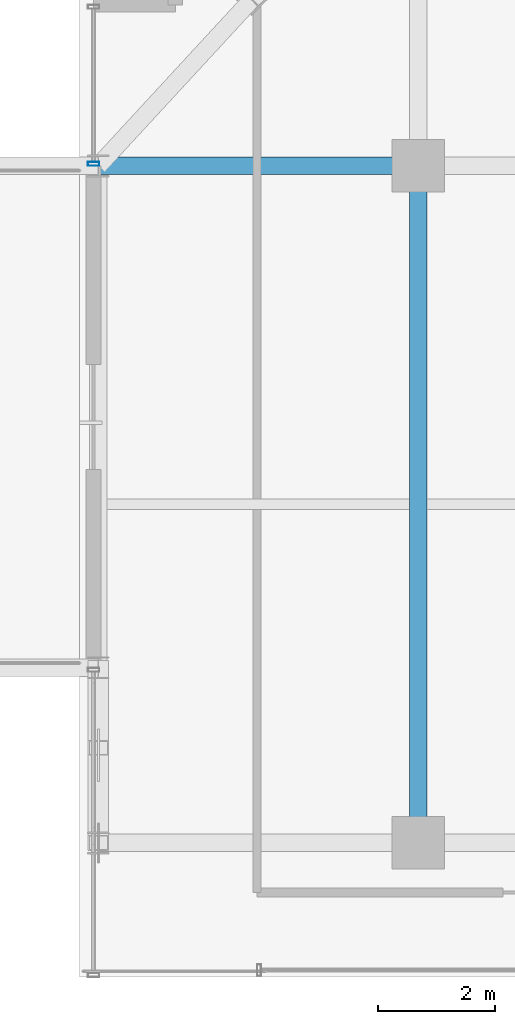
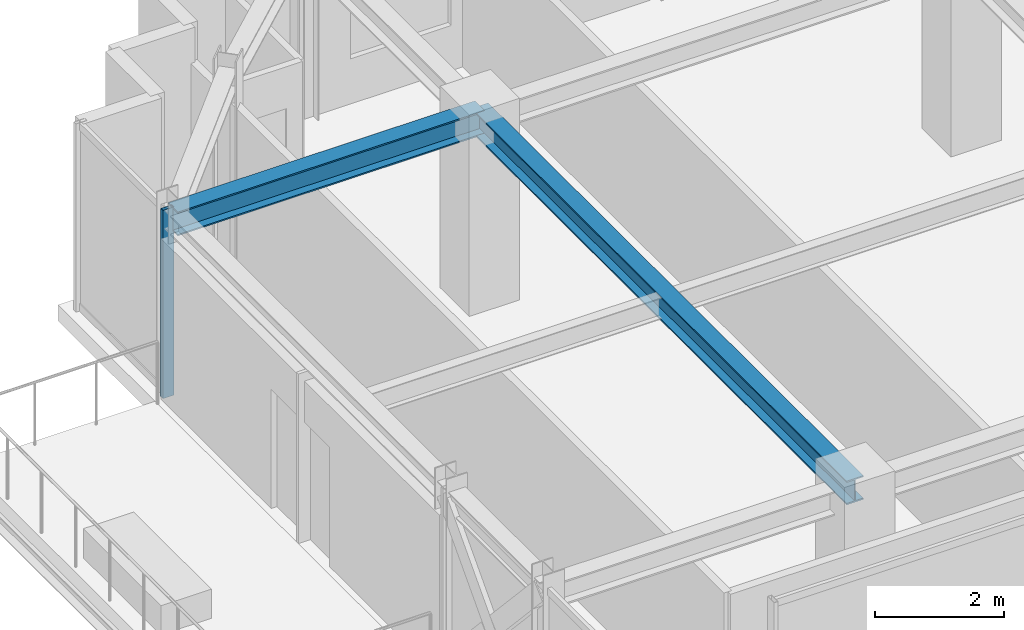
# One storey, part 24 of 41: 2 beams, 1 member, 1 element without a shape of its own.
"""IFC4 building model written with IfcOpenShell, lengths in metres."""

from ifc_helpers import new_model, si_unit, direction, frame, origin, origin_2d, place, context, subcontext, project, spatial, hollow_rectangle, i_section, extrude, source, transform, mapped, material, material_profile, profile_set, type_object, element, aggregate, save


model = new_model("IFC4")

# Units and contexts
model_context = context("Model", 3, precision=1e-05, world=origin(), true_north=direction((0.0, 1.0)))
body_context = subcontext(model_context, "Body", "Model", "MODEL_VIEW")
ifc_project = project(units=[si_unit("LENGTHUNIT", "METRE"), si_unit("AREAUNIT", "SQUARE_METRE"), si_unit("VOLUMEUNIT", "CUBIC_METRE"), si_unit("PLANEANGLEUNIT", "RADIAN"), si_unit("MASSUNIT", "GRAM", prefix="KILO")], contexts=[model_context])

# Site, building, storey
site_placement = place(None, origin())
site = spatial("IfcSite", under=ifc_project, at=site_placement, CompositionType="ELEMENT")
building_placement = place(site_placement, origin())
building = spatial("IfcBuilding", under=site, at=building_placement, Name="Nahalor Promenade Grand Hotel", CompositionType="ELEMENT")
storey_placement = place(building_placement, frame((0.0, 0.0, 304.199951171875)))
storey = spatial("IfcBuildingStorey", under=building, at=storey_placement, Name="L78", CompositionType="ELEMENT", Elevation=304.199951171875)

# Beams
ifc_material_1 = material(Name="Steel S355JR", Category="steel")
ifc_material_profile_1 = material_profile(ifc_material_1, i_section(OverallWidth=0.3, OverallDepth=0.45, WebThickness=0.014, FlangeThickness=0.026, at=origin_2d()), Name="HEB 450")
ifc_profile_set_1 = profile_set([ifc_material_profile_1], Name="Steel S355JR")
beam_type = type_object("IfcBeamType", Name="Beam-Girder-HEB450", PredefinedType="BEAM", material=ifc_profile_set_1)
shared_shape_1 = source(origin(), body_context, "Body", "SweptSolid", [
    extrude(i_section(OverallWidth=0.3, OverallDepth=0.45, WebThickness=0.014, FlangeThickness=0.026, at=origin_2d()), origin(), (0.0, 0.0, 1.0), 11.60009765625),
])
beam_1_placement = place(storey_placement, frame((-17.0, 5.39990234375, 3.324951171875), z_axis=(0.0, 1.0, 0.0), x_axis=(-1.0, 0.0, 0.0)))
element("IfcBeam", 1, at=beam_1_placement, inside=storey, type_object=beam_type, Name="BM-L78-GY-0-3", PredefinedType="BEAM", context=body_context, shape_type="MappedRepresentation", body=[
    mapped(shared_shape_1, transform((0.0, 0.0, 0.0), scale=1.0)),
])
shared_shape_2 = source(origin(), body_context, "Body", "SweptSolid", [
    extrude(i_section(OverallWidth=0.3, OverallDepth=0.45, WebThickness=0.014, FlangeThickness=0.026, at=origin_2d()), origin(), (0.0, 0.0, 1.0), 5.47998046875),
])
beam_2_placement = place(storey_placement, frame((-22.47998046875, 17.0, 3.324951171875), z_axis=(1.0, 0.0, 0.0), x_axis=(0.0, 1.0, 0.0)))
element("IfcBeam", 2, at=beam_2_placement, inside=storey, type_object=beam_type, Name="BM-L78-GX-3-0", PredefinedType="BEAM", context=body_context, shape_type="MappedRepresentation", body=[
    mapped(shared_shape_2, transform((0.0, 0.0, 0.0), scale=1.0)),
])

# Curtain wall, member
ifc_material_2 = material(Name="Anodised Bronze Aluminium EN AW-6063 T6", Category="aluminium")
curtain_wall_type = type_object("IfcCurtainWallType", Name="CW3 Elliptical-Void Collar Unitised Curtain Wall", PredefinedType="USERDEFINED", material=ifc_material_2)
curtain_wall_placement = place(storey_placement, origin())
curtain_wall = element("IfcCurtainWall", 3, at=curtain_wall_placement, inside=storey, type_object=curtain_wall_type, Name="L78 Curtain Wall CW-L78-W-4", ObjectType="UNITISED_CURTAIN_WALL", PredefinedType="USERDEFINED")
ifc_material_profile_2 = material_profile(ifc_material_2, hollow_rectangle(XDim=0.07, YDim=0.2, WallThickness=0.005, at=origin_2d()), Name="CWM 70x200x5")
ifc_profile_set_2 = profile_set([ifc_material_profile_2], Name="Anodised Bronze Aluminium EN AW-6063 T6")
member_type = type_object("IfcMemberType", Name="CWM3 Void Collar Mullion 70x200", PredefinedType="MULLION", material=ifc_profile_set_2)
shared_shape_3 = source(origin(), body_context, "Body", "SweptSolid", [
    extrude(hollow_rectangle(XDim=0.07, YDim=0.2, WallThickness=0.005, at=origin_2d()), origin(), (0.0, 0.0, 1.0), 3.550048828125),
])
member_placement = place(storey_placement, frame((-22.56005859375, 17.034912109375, 0.0), z_axis=(0.0, 0.0, 1.0), x_axis=(0.0, 1.0, 0.0)))
member = element("IfcMember", 4, at=member_placement, type_object=member_type, Name="CW-L78-W-4 Mullion 0", PredefinedType="MULLION", context=body_context, shape_type="MappedRepresentation", body=[
    mapped(shared_shape_3, transform((0.0, 0.0, 0.0), scale=1.0)),
])
aggregate(curtain_wall, [member])

save(model, "model.ifc")
